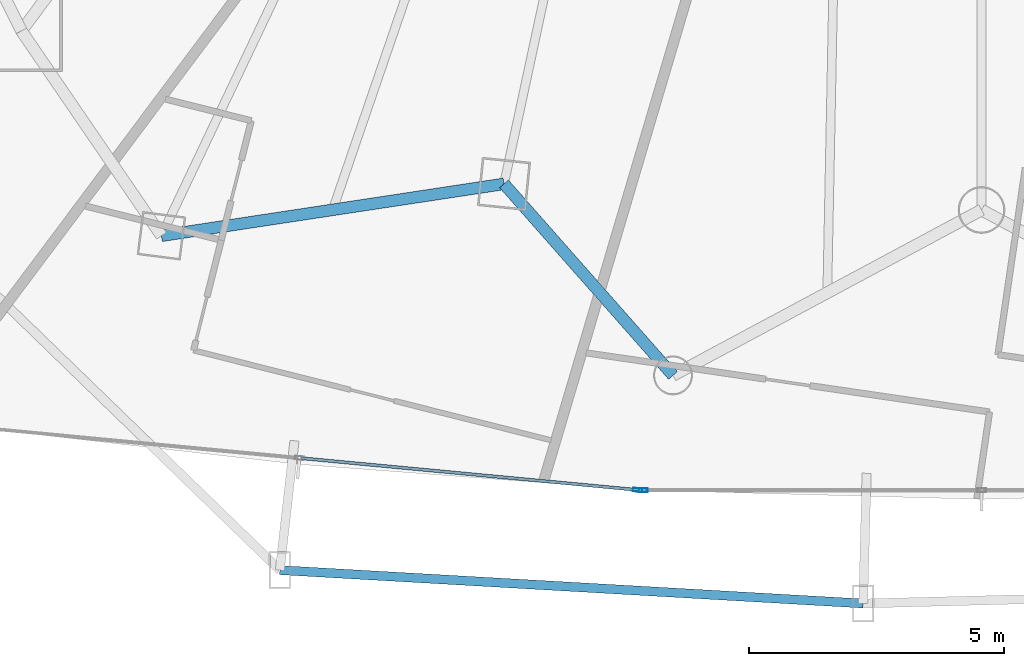
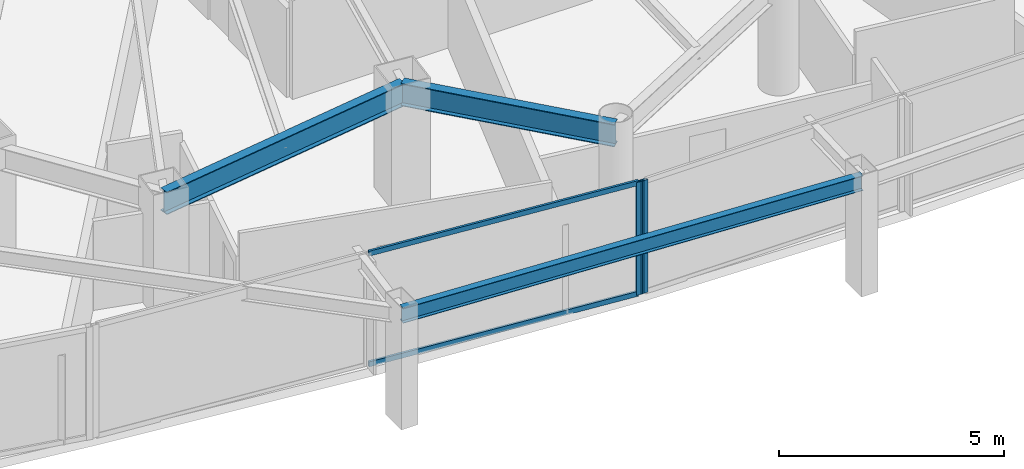
# One storey, part 6 of 35: 4 members, 3 beams, 2 elements without a shape of their own.
"""IFC4 building model written with IfcOpenShell, lengths in metres."""

import ifcopenshell
import ifcopenshell.guid

model = None  # the IFC model being written
_history = None  # IfcOwnerHistory: only IFC2X3 demands one
_inside = {}  # id of a spatial element -> (the spatial element, [elements in it])
_under = {}  # id of a project, library or spatial element -> (it, [spatial elements below it])
_declared = {}  # id of a project -> (the project, [libraries it declares])
_typed = {}  # id of a type object -> (the type object, [elements of that type])
_made_of = {}  # id of a material, layer set ... -> (it, [elements and type objects made of it])


def new_model(schema):
    """Start an empty IFC model of exactly this schema.

    Asked for "IFC4X3", IfcOpenShell would pick the latest addendum, in which some entities
    have other attributes; the version numbers below select the first issue.
    IFC2X3 requires an IfcOwnerHistory on every rooted entity: one is made here for all.
    """
    global model, _history
    if schema == "IFC4X3":
        model = ifcopenshell.file(schema_version=(4, 3, 0, 0))
    else:
        model = ifcopenshell.file(schema=schema)
    _inside.clear()
    _under.clear()
    _declared.clear()
    _typed.clear()
    _made_of.clear()
    _history = None
    if model.schema == "IFC2X3":
        org = make("IfcOrganization", Name="unknown")
        user = make(
            "IfcPersonAndOrganization",
            ThePerson=make("IfcPerson", FamilyName="unknown"),
            TheOrganization=org,
        )
        app = make(
            "IfcApplication",
            ApplicationDeveloper=org,
            Version="unknown",
            ApplicationFullName="unknown",
            ApplicationIdentifier="unknown",
        )
        _history = make(
            "IfcOwnerHistory",
            OwningUser=user,
            OwningApplication=app,
            ChangeAction="ADDED",
            CreationDate=0,
        )
    return model


def make(cls, **values):
    """One entity of the class cls with the attributes given. An attribute that is None is left unset."""
    return model.create_entity(
        cls, **{name: value for name, value in values.items() if value is not None}
    )


def rooted(cls, **values):
    """An entity with a GlobalId (a new one), such as an element, a storey or a relation."""
    return make(cls, GlobalId=ifcopenshell.guid.new(), OwnerHistory=_history, **values)


def si_unit(unit_type, name, prefix=None):
    """IfcSIUnit, for example si_unit("LENGTHUNIT", "METRE", prefix="MILLI")."""
    return make("IfcSIUnit", UnitType=unit_type, Prefix=prefix, Name=name)


def assignment(units):
    """IfcUnitAssignment: the units of a project."""
    return None if units is None else make("IfcUnitAssignment", Units=units)


def point(xyz):
    """IfcCartesianPoint."""
    return None if xyz is None else make("IfcCartesianPoint", Coordinates=xyz)


def direction(xyz):
    """IfcDirection."""
    return None if xyz is None else make("IfcDirection", DirectionRatios=xyz)


def frame(location, z_axis=None, x_axis=None):
    """IfcAxis2Placement3D, a coordinate frame: its origin and axes. An axis left out is left unset."""
    return make(
        "IfcAxis2Placement3D",
        Location=point(location),
        Axis=direction(z_axis),
        RefDirection=direction(x_axis),
    )


def frame_2d(location, x_axis=None):
    """IfcAxis2Placement2D, a coordinate frame in the plane: its origin and x axis."""
    return make(
        "IfcAxis2Placement2D", Location=point(location), RefDirection=direction(x_axis)
    )


def origin():
    """The frame at (0, 0, 0) with its axes left unset."""
    return frame((0.0, 0.0, 0.0))


def origin_2d():
    """The frame at (0, 0) in the plane with its x axis left unset."""
    return frame_2d((0.0, 0.0))


def place(relative_to, where):
    """IfcLocalPlacement: puts the frame where relative to a parent placement (None: the world)."""
    return make(
        "IfcLocalPlacement", PlacementRelTo=relative_to, RelativePlacement=where
    )


def context(
    kind, dimensions, precision=None, world=None, true_north=None, identifier=None
):
    """IfcGeometricRepresentationContext, for example the 3D "Model" context."""
    return make(
        "IfcGeometricRepresentationContext",
        ContextIdentifier=identifier,
        ContextType=kind,
        CoordinateSpaceDimension=dimensions,
        Precision=precision,
        WorldCoordinateSystem=world,
        TrueNorth=true_north,
    )


def subcontext(parent, identifier, kind, view, scale=None):
    """IfcGeometricRepresentationSubContext, for example "Body" below "Model"."""
    return make(
        "IfcGeometricRepresentationSubContext",
        ContextIdentifier=identifier,
        ContextType=kind,
        ParentContext=parent,
        TargetScale=scale,
        TargetView=view,
    )


def project(units=None, contexts=None):
    """IfcProject with its units and contexts."""
    return rooted(
        "IfcProject",
        Name="project",
        RepresentationContexts=contexts,
        UnitsInContext=assignment(units),
    )


def spatial(cls, under=None, at=None, **own):
    """A site, building, storey or space (cls), placed at a placement, below another one or the project."""
    s = rooted(cls, ObjectPlacement=at, **own)
    if under is not None:
        _under.setdefault(under.id(), (under, []))[1].append(s)
    return s


def profile(cls, at=None, kind="AREA", **sizes):
    """A parametric profile (cls). Its sizes go by their IFC names, for example OverallWidth=200.0."""
    return make(cls, ProfileType=kind, Position=at, **sizes)


def hollow_rectangle(**sizes):
    """IfcRectangleHollowProfileDef."""
    return profile("IfcRectangleHollowProfileDef", **sizes)


def i_section(**sizes):
    """IfcIShapeProfileDef."""
    return profile("IfcIShapeProfileDef", **sizes)


def extrude(swept, where, along, depth):
    """IfcExtrudedAreaSolid: the profile swept, set in the frame where, extruded along a direction by depth."""
    return make(
        "IfcExtrudedAreaSolid",
        SweptArea=swept,
        Position=where,
        ExtrudedDirection=direction(along),
        Depth=depth,
    )


def shape(context_of_items, identifier, shape_type, items):
    """IfcShapeRepresentation: the items that make up one representation, for example the "Body"."""
    return make(
        "IfcShapeRepresentation",
        ContextOfItems=context_of_items,
        RepresentationIdentifier=identifier,
        RepresentationType=shape_type,
        Items=items,
    )


def material(Name=None, Category=None):
    """IfcMaterial."""
    return make("IfcMaterial", Name=Name, Category=Category)


def layer(
    of_material, thickness, ventilated=None, Name=None, Category=None, Priority=None
):
    """IfcMaterialLayer: one layer of a wall or slab, of a material (None: an air gap)."""
    return make(
        "IfcMaterialLayer",
        Material=of_material,
        LayerThickness=thickness,
        IsVentilated=ventilated,
        Name=Name,
        Category=Category,
        Priority=Priority,
    )


def layer_set(layers, Name=None):
    """IfcMaterialLayerSet."""
    return make("IfcMaterialLayerSet", MaterialLayers=layers, LayerSetName=Name)


def material_profile(
    of_material, cross_section, Name=None, Category=None, Priority=None
):
    """IfcMaterialProfile: a cross section and its material."""
    return make(
        "IfcMaterialProfile",
        Name=Name,
        Material=of_material,
        Profile=cross_section,
        Priority=Priority,
        Category=Category,
    )


def profile_set(profiles, Name=None, composite=None):
    """IfcMaterialProfileSet."""
    return make(
        "IfcMaterialProfileSet",
        Name=Name,
        MaterialProfiles=profiles,
        CompositeProfile=composite,
    )


def made_of(thing, what):
    """Note that an element or type object is made of a material, layer set ...; save() writes the relation."""
    if what is not None:
        _made_of.setdefault(what.id(), (what, []))[1].append(thing)
    return thing


def type_object(cls, material=None, **own):
    """A type object (cls), such as IfcWallType, which elements share."""
    return made_of(rooted(cls, **own), material)


def element(
    cls,
    number,
    at=None,
    inside=None,
    cuts=None,
    type_object=None,
    material=None,
    context=None,
    identifier="Body",
    shape_type=None,
    held_by="IfcProductDefinitionShape",
    body=None,
    shapes=None,
    **own,
):
    """One element of the class cls, such as IfcWall. Its Tag is "e" and its number.

    at: its placement. inside: the storey or other place that contains it. cuts: it is an
    opening in that element (IfcRelVoidsElement). A single representation is given by context,
    identifier, shape_type and body (its items); several are given by shapes. held_by: the class
    of the entity that holds the representations. save() writes the other relations.
    """
    e = rooted(cls, Tag="e%d" % number, ObjectPlacement=at, **own)
    if body is not None:
        shapes = [shape(context, identifier, shape_type, body)]
    if shapes is not None:
        e.Representation = make(held_by, Representations=shapes)
    if inside is not None:
        _inside.setdefault(inside.id(), (inside, []))[1].append(e)
    if cuts is not None:
        rooted(
            "IfcRelVoidsElement", RelatingBuildingElement=cuts, RelatedOpeningElement=e
        )
    if type_object is not None:
        _typed.setdefault(type_object.id(), (type_object, []))[1].append(e)
    return made_of(e, material)


def aggregate(whole, parts):
    """IfcRelAggregates: a whole, such as a stair, and the parts it consists of."""
    return rooted("IfcRelAggregates", RelatingObject=whole, RelatedObjects=parts)


def save(model, path):
    """Write the relations noted so far, then the file.

    IfcRelAggregates (storeys below a building ...), IfcRelContainedInSpatialStructure (elements
    in a storey), IfcRelDefinesByType, IfcRelAssociatesMaterial and IfcRelDeclares: one each for
    every whole, place, type object, material and project.
    """
    for whole, parts in _under.values():
        aggregate(whole, parts)
    for where, things in _inside.values():
        rooted(
            "IfcRelContainedInSpatialStructure",
            RelatedElements=things,
            RelatingStructure=where,
        )
    for kind, things in _typed.values():
        rooted("IfcRelDefinesByType", RelatedObjects=things, RelatingType=kind)
    for what, things in _made_of.values():
        rooted("IfcRelAssociatesMaterial", RelatedObjects=things, RelatingMaterial=what)
    for by, libraries in _declared.values():
        rooted("IfcRelDeclares", RelatingContext=by, RelatedDefinitions=libraries)
    model.write(path)


model = new_model("IFC4")

# Units and contexts
model_context = context("Model", 3, precision=1e-05, world=origin(), true_north=direction((0.0, 1.0)))
body_context = subcontext(model_context, "Body", "Model", "MODEL_VIEW")
ifc_project = project(units=[si_unit("LENGTHUNIT", "METRE"), si_unit("AREAUNIT", "SQUARE_METRE"), si_unit("VOLUMEUNIT", "CUBIC_METRE"), si_unit("PLANEANGLEUNIT", "RADIAN"), si_unit("MASSUNIT", "GRAM", prefix="KILO")], contexts=[model_context])

# Site, building, storey
site_placement = place(None, origin())
site = spatial("IfcSite", under=ifc_project, at=site_placement, CompositionType="ELEMENT")
building_placement = place(site_placement, origin())
building = spatial("IfcBuilding", under=site, at=building_placement, Name="Orvanel Arch Residences", CompositionType="ELEMENT")
storey_placement = place(building_placement, frame((0.0, 0.0, 33.5)))
storey = spatial("IfcBuildingStorey", under=building, at=storey_placement, Name="L08", CompositionType="ELEMENT", Elevation=33.5)

# Curtain wall, member
ifc_material_1 = material(Name="Bronze-anodised aluminium AA6063-T6", Category="aluminium")
ifc_layer = layer(ifc_material_1, 0.179931640625)
ifc_layer_set = layer_set([ifc_layer], Name="Bronze-anodised aluminium AA6063-T6")
curtain_wall_type = type_object("IfcCurtainWallType", Name="CW2-LOW-SYS", PredefinedType="NOTDEFINED", material=ifc_layer_set)
curtain_wall_1_placement = place(storey_placement, origin())
curtain_wall_1 = element("IfcCurtainWall", 1, at=curtain_wall_1_placement, inside=storey, type_object=curtain_wall_type, Name="L08 CW2-LOW-SYS Unitised Curtain Wall", PredefinedType="NOTDEFINED")
ifc_material_profile_1 = material_profile(ifc_material_1, hollow_rectangle(XDim=0.070068359375, YDim=0.179931640625, WallThickness=0.00439453125, at=origin_2d()), Name="ALU180x70x4.5")
ifc_profile_set_1 = profile_set([ifc_material_profile_1], Name="Bronze-anodised aluminium AA6063-T6")
member_type_1 = type_object("IfcMemberType", Name="MUL-180x70", PredefinedType="MULLION", material=ifc_profile_set_1)
member_1_placement = place(storey_placement, frame((26.26708984375, 1.361328125, 0.0), z_axis=(0.0, 0.0, 1.0), x_axis=(0.094061026895, 0.995566433353, 0.0)))
member_1 = element("IfcMember", 2, at=member_1_placement, type_object=member_type_1, Name="CW-S2 mullion 3", PredefinedType="MULLION", context=body_context, shape_type="SweptSolid", body=[
    extrude(hollow_rectangle(XDim=0.070068359375, YDim=0.179931640625, WallThickness=0.00439453125, at=origin_2d()), origin(), (0.0, 0.0, 1.0), 3.06005859375),
])

curtain_wall_2_placement = place(storey_placement, origin())
curtain_wall_2 = element("IfcCurtainWall", 3, at=curtain_wall_2_placement, inside=storey, type_object=curtain_wall_type, Name="L08 CW2-LOW-SYS Unitised Curtain Wall", PredefinedType="NOTDEFINED")
member_2_placement = place(storey_placement, frame((26.376953125, 1.35595703125, 0.0), z_axis=(0.0, 0.0, 1.0), x_axis=(0.0, 1.0, 0.0)))
member_2 = element("IfcMember", 4, at=member_2_placement, type_object=member_type_1, Name="CW-S2 mullion 1", PredefinedType="MULLION", context=body_context, shape_type="SweptSolid", body=[
    extrude(hollow_rectangle(XDim=0.070068359375, YDim=0.179931640625, WallThickness=0.00439453125, at=origin_2d()), origin(), (0.0, 0.0, 1.0), 3.06005859375),
])
aggregate(curtain_wall_2, [member_2])

# Beams
ifc_material_2 = material(Name="Structural steel AS/NZS 3679.1 Grade 300 (300 MPa)", Category="steel")
ifc_material_profile_2 = material_profile(ifc_material_2, i_section(OverallWidth=0.177978515625, OverallDepth=0.406005859375, WebThickness=0.0078125, FlangeThickness=0.0126953125, at=origin_2d()), Name="410UB59.7")
ifc_profile_set_2 = profile_set([ifc_material_profile_2], Name="Structural steel AS/NZS 3679.1 Grade 300 (300 MPa)")
beam_type_1 = type_object("IfcBeamType", Name="OB-410UB-EXT", PredefinedType="SPANDREL", material=ifc_profile_set_2)
beam_1_placement = place(storey_placement, frame((19.259033203125, -0.2080078125, 2.85693359375), z_axis=(0.998369632483, -0.057079566703, 0.0), x_axis=(0.057079566703, 0.998369632483, 0.0)))
element("IfcBeam", 5, at=beam_1_placement, inside=storey, type_object=beam_type_1, Name="L08 Outer Perimeter Floor Ring Beam 05", PredefinedType="SPANDREL", context=body_context, shape_type="SweptSolid", body=[
    extrude(i_section(OverallWidth=0.177978515625, OverallDepth=0.406005859375, WebThickness=0.0078125, FlangeThickness=0.0126953125, at=origin_2d()), origin(), (0.0, 0.0, 1.0), 11.44140625),
])
ifc_material_profile_3 = material_profile(ifc_material_2, i_section(OverallWidth=0.22900390625, OverallDepth=0.612060546875, WebThickness=0.011962890625, FlangeThickness=0.01953125, at=origin_2d()), Name="610UB125")
ifc_profile_set_3 = profile_set([ifc_material_profile_3], Name="Structural steel AS/NZS 3679.1 Grade 300 (300 MPa)")
beam_type_2 = type_object("IfcBeamType", Name="SP-610UB", PredefinedType="SPANDREL", material=ifc_profile_set_3)
beam_2_placement = place(storey_placement, frame((16.94091796875, 6.339111328125, 2.75390625), z_axis=(0.988726323014, 0.149733958002, 0.0), x_axis=(-0.149733958002, 0.988726323014, 0.0)))
element("IfcBeam", 6, at=beam_2_placement, inside=storey, type_object=beam_type_2, Name="L08 Perimeter Spandrel Beam 04", PredefinedType="SPANDREL", context=body_context, shape_type="SweptSolid", body=[
    extrude(i_section(OverallWidth=0.22900390625, OverallDepth=0.612060546875, WebThickness=0.011962890625, FlangeThickness=0.01953125, at=origin_2d()), origin(), (0.0, 0.0, 1.0), 6.784423828125),
])
beam_3_placement = place(storey_placement, frame((23.64892578125, 7.35498046875, 2.75390625), z_axis=(0.661650698195, -0.749812212209, 0.0), x_axis=(0.749812212209, 0.661650698195, 0.0)))
element("IfcBeam", 7, at=beam_3_placement, inside=storey, type_object=beam_type_2, Name="L08 Perimeter Spandrel Beam 05", PredefinedType="SPANDREL", context=body_context, shape_type="SweptSolid", body=[
    extrude(i_section(OverallWidth=0.22900390625, OverallDepth=0.612060546875, WebThickness=0.011962890625, FlangeThickness=0.01953125, at=origin_2d()), origin(), (0.0, 0.0, 1.0), 5.001220703125),
])

# Member
ifc_material_profile_4 = material_profile(ifc_material_1, hollow_rectangle(XDim=0.06005859375, YDim=0.135009765625, WallThickness=0.00390625, at=origin_2d()), Name="ALU135x60x4")
ifc_profile_set_4 = profile_set([ifc_material_profile_4], Name="Bronze-anodised aluminium AA6063-T6")
member_type_2 = type_object("IfcMemberType", Name="TRN-135x60", PredefinedType="USERDEFINED", material=ifc_profile_set_4)
member_3_placement = place(storey_placement, frame((19.679443359375, 1.983642578125, 0.030029296875), z_axis=(0.995566208487, -0.094063406904, 0.0), x_axis=(0.094063406904, 0.995566208487, 0.0)))
member_3 = element("IfcMember", 8, at=member_3_placement, type_object=member_type_2, Name="CW-S2 transom 2.1", ObjectType="TRANSOM", PredefinedType="USERDEFINED", context=body_context, shape_type="SweptSolid", body=[
    extrude(hollow_rectangle(XDim=0.06005859375, YDim=0.135009765625, WallThickness=0.00390625, at=origin_2d()), origin(), (0.0, 0.0, 1.0), 6.582275390625),
])

member_4_placement = place(storey_placement, frame((19.679443359375, 1.983642578125, 3.030029296875), z_axis=(0.995566208487, -0.094063406904, 0.0), x_axis=(0.094063406904, 0.995566208487, 0.0)))
member_4 = element("IfcMember", 9, at=member_4_placement, type_object=member_type_2, Name="CW-S2 transom 2.2", ObjectType="TRANSOM", PredefinedType="USERDEFINED", context=body_context, shape_type="SweptSolid", body=[
    extrude(hollow_rectangle(XDim=0.06005859375, YDim=0.135009765625, WallThickness=0.00390625, at=origin_2d()), origin(), (0.0, 0.0, 1.0), 6.582275390625),
])

aggregate(curtain_wall_1, [member_1, member_3, member_4])

save(model, "model.ifc")
